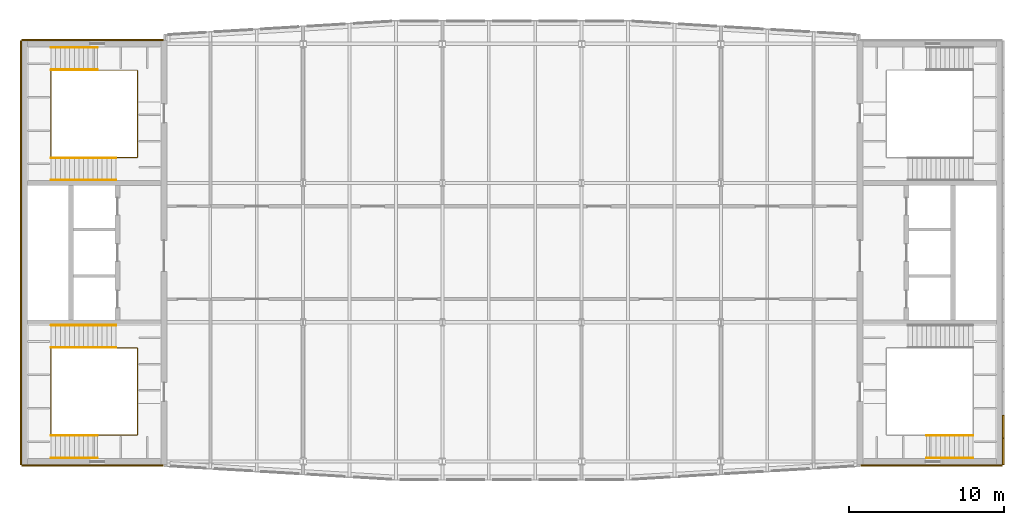
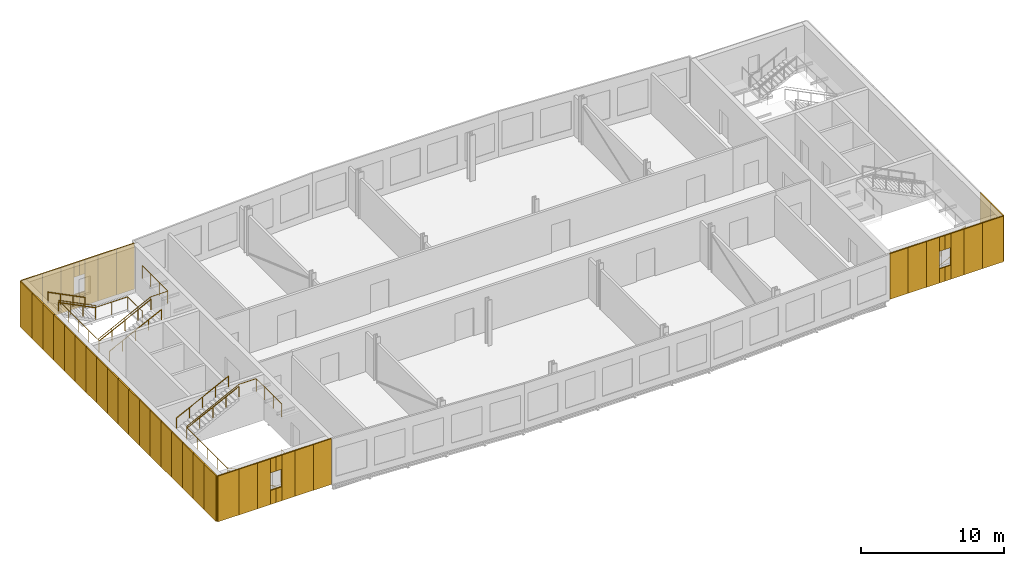
# One storey, part 8 of 9: 50 coverings, 12 railings.
"""IFC4 building model written with IfcOpenShell, lengths in metres."""

from ifc_helpers import new_model, si_unit, direction, frame, origin, origin_2d, place, context, subcontext, project, spatial, rectangle, circle, extrude, material, layer, layer_set, type_object, element, save


model = new_model("IFC4")

# Units and contexts
model_context = context("Model", 3, precision=1e-05, world=origin(), true_north=direction((0.0, 1.0)))
body_context = subcontext(model_context, "Body", "Model", "MODEL_VIEW")
ifc_project = project(units=[si_unit("LENGTHUNIT", "METRE"), si_unit("AREAUNIT", "SQUARE_METRE"), si_unit("VOLUMEUNIT", "CUBIC_METRE"), si_unit("PLANEANGLEUNIT", "RADIAN"), si_unit("MASSUNIT", "GRAM", prefix="KILO")], contexts=[model_context])

# Site, building, storey
site_placement = place(None, origin())
site = spatial("IfcSite", under=ifc_project, at=site_placement, CompositionType="ELEMENT")
building_placement = place(site_placement, origin())
building = spatial("IfcBuilding", under=site, at=building_placement, Name="Azimuth Sports and Learning Centre", CompositionType="ELEMENT")
storey_placement = place(building_placement, frame((0.0, 0.0, 51.89990234375)))
storey = spatial("IfcBuildingStorey", under=building, at=storey_placement, Name="L11", CompositionType="ELEMENT", Elevation=51.89990234375)

# Coverings
ifc_material_1 = material(Name="Cladding panel")
ifc_layer = layer(ifc_material_1, 0.10009765625)
ifc_layer_set = layer_set([ifc_layer], Name="Cladding panel")
covering_type = type_object("IfcCoveringType", Name="Cladding panel 100", PredefinedType="CLADDING", material=ifc_layer_set)
covering_1_placement = place(storey_placement, frame((54.64990234375, 89.75, 0.000244140625), z_axis=(0.0, 0.0, 1.0), x_axis=(1.0, 0.0, 0.0)))
element("IfcCovering", 1, at=covering_1_placement, inside=storey, type_object=covering_type, Name="Cladding panel S-CORE W L11 1", PredefinedType="CLADDING", context=body_context, shape_type="SweptSolid", body=[
    extrude(rectangle(XDim=1.699951171875, YDim=0.10009765625, at=origin_2d()), origin(), (0.0, 0.0, 1.0), 3.89990234375),
])
covering_2_placement = place(storey_placement, frame((56.25, 89.75, 0.000244140625), z_axis=(0.0, 0.0, 1.0), x_axis=(1.0, 0.0, 0.0)))
element("IfcCovering", 2, at=covering_2_placement, inside=storey, type_object=covering_type, Name="Cladding panel S-CORE W L11 2", PredefinedType="CLADDING", context=body_context, shape_type="SweptSolid", body=[
    extrude(rectangle(XDim=1.5, YDim=0.10009765625, at=origin_2d()), origin(), (0.0, 0.0, 1.0), 3.89990234375),
])
covering_3_placement = place(storey_placement, frame((57.52490234375, 89.75, 0.000244140625), z_axis=(0.0, 0.0, 1.0), x_axis=(1.0, 0.0, 0.0)))
element("IfcCovering", 3, at=covering_3_placement, inside=storey, type_object=covering_type, Name="Cladding panel S-CORE W L11 3", PredefinedType="CLADDING", context=body_context, shape_type="SweptSolid", body=[
    extrude(rectangle(XDim=1.050048828125, YDim=0.10009765625, at=origin_2d()), origin(), (0.0, 0.0, 1.0), 3.89990234375),
])
for number, where, z_axis, x_axis, name in (
    (4, (58.27490234375, 89.75, 0.0), (0.0, 0.0, 1.0), (1.0, 0.0, 0.0), "Cladding panel S-CORE W L11 4"),
    (5, (58.27490234375, 89.75, 2.7001953125), (0.0, 0.0, 1.0), (1.0, 0.0, 0.0), "Cladding panel S-CORE W L11 5"),
):
    element("IfcCovering", number, at=place(storey_placement, frame(where, z_axis=z_axis, x_axis=x_axis)), inside=storey, type_object=covering_type, Name=name, PredefinedType="CLADDING", context=body_context, shape_type="SweptSolid", body=[
        extrude(rectangle(XDim=0.449951171875, YDim=0.10009765625, at=origin_2d()), origin(), (0.0, 0.0, 1.0), 1.199951171875),
    ])
covering_4_placement = place(storey_placement, frame((59.47509765625, 89.75, 0.000244140625), z_axis=(0.0, 0.0, 1.0), x_axis=(1.0, 0.0, 0.0)))
element("IfcCovering", 6, at=covering_4_placement, inside=storey, type_object=covering_type, Name="Cladding panel S-CORE W L11 6", PredefinedType="CLADDING", context=body_context, shape_type="SweptSolid", body=[
    extrude(rectangle(XDim=1.050048828125, YDim=0.10009765625, at=origin_2d()), origin(), (0.0, 0.0, 1.0), 3.89990234375),
])
for number, where, z_axis, x_axis, name in (
    (7, (58.72509765625, 89.75, 0.0), (0.0, 0.0, 1.0), (1.0, 0.0, 0.0), "Cladding panel S-CORE W L11 7"),
    (8, (58.72509765625, 89.75, 2.7001953125), (0.0, 0.0, 1.0), (1.0, 0.0, 0.0), "Cladding panel S-CORE W L11 8"),
):
    element("IfcCovering", number, at=place(storey_placement, frame(where, z_axis=z_axis, x_axis=x_axis)), inside=storey, type_object=covering_type, Name=name, PredefinedType="CLADDING", context=body_context, shape_type="SweptSolid", body=[
        extrude(rectangle(XDim=0.449951171875, YDim=0.10009765625, at=origin_2d()), origin(), (0.0, 0.0, 1.0), 1.199951171875),
    ])
covering_5_placement = place(storey_placement, frame((60.75, 89.75, 0.000244140625), z_axis=(0.0, 0.0, 1.0), x_axis=(1.0, 0.0, 0.0)))
element("IfcCovering", 9, at=covering_5_placement, inside=storey, type_object=covering_type, Name="Cladding panel S-CORE W L11 9", PredefinedType="CLADDING", context=body_context, shape_type="SweptSolid", body=[
    extrude(rectangle(XDim=1.5, YDim=0.10009765625, at=origin_2d()), origin(), (0.0, 0.0, 1.0), 3.89990234375),
])
for number, where, z_axis, x_axis, name in (
    (10, (62.22998046875, 89.75, 0.000244140625), (0.0, 0.0, 1.0), (1.0, 0.0, 0.0), "Cladding panel S-CORE W L11 10"),
    (11, (108.77001953125, 89.75, 0.000244140625), (0.0, 0.0, 1.0), (1.0, 0.0, 0.0), "Cladding panel S-CORE E L11 1"),
):
    element("IfcCovering", number, at=place(storey_placement, frame(where, z_axis=z_axis, x_axis=x_axis)), inside=storey, type_object=covering_type, Name=name, PredefinedType="CLADDING", context=body_context, shape_type="SweptSolid", body=[
        extrude(rectangle(XDim=1.4599609375, YDim=0.10009765625, at=origin_2d()), origin(), (0.0, 0.0, 1.0), 3.89990234375),
    ])
covering_6_placement = place(storey_placement, frame((110.25, 89.75, 0.000244140625), z_axis=(0.0, 0.0, 1.0), x_axis=(1.0, 0.0, 0.0)))
element("IfcCovering", 12, at=covering_6_placement, inside=storey, type_object=covering_type, Name="Cladding panel S-CORE E L11 2", PredefinedType="CLADDING", context=body_context, shape_type="SweptSolid", body=[
    extrude(rectangle(XDim=1.5, YDim=0.10009765625, at=origin_2d()), origin(), (0.0, 0.0, 1.0), 3.89990234375),
])
covering_7_placement = place(storey_placement, frame((111.52490234375, 89.75, 0.000244140625), z_axis=(0.0, 0.0, 1.0), x_axis=(1.0, 0.0, 0.0)))
element("IfcCovering", 13, at=covering_7_placement, inside=storey, type_object=covering_type, Name="Cladding panel S-CORE E L11 3", PredefinedType="CLADDING", context=body_context, shape_type="SweptSolid", body=[
    extrude(rectangle(XDim=1.050048828125, YDim=0.10009765625, at=origin_2d()), origin(), (0.0, 0.0, 1.0), 3.89990234375),
])
for number, where, z_axis, x_axis, name in (
    (14, (112.27490234375, 89.75, 0.0), (0.0, 0.0, 1.0), (1.0, 0.0, 0.0), "Cladding panel S-CORE E L11 4"),
    (15, (112.27490234375, 89.75, 2.7001953125), (0.0, 0.0, 1.0), (1.0, 0.0, 0.0), "Cladding panel S-CORE E L11 5"),
):
    element("IfcCovering", number, at=place(storey_placement, frame(where, z_axis=z_axis, x_axis=x_axis)), inside=storey, type_object=covering_type, Name=name, PredefinedType="CLADDING", context=body_context, shape_type="SweptSolid", body=[
        extrude(rectangle(XDim=0.449951171875, YDim=0.10009765625, at=origin_2d()), origin(), (0.0, 0.0, 1.0), 1.199951171875),
    ])
covering_8_placement = place(storey_placement, frame((113.47509765625, 89.75, 0.000244140625), z_axis=(0.0, 0.0, 1.0), x_axis=(1.0, 0.0, 0.0)))
element("IfcCovering", 16, at=covering_8_placement, inside=storey, type_object=covering_type, Name="Cladding panel S-CORE E L11 6", PredefinedType="CLADDING", context=body_context, shape_type="SweptSolid", body=[
    extrude(rectangle(XDim=1.050048828125, YDim=0.10009765625, at=origin_2d()), origin(), (0.0, 0.0, 1.0), 3.89990234375),
])
for number, where, z_axis, x_axis, name in (
    (17, (112.72509765625, 89.75, 0.0), (0.0, 0.0, 1.0), (1.0, 0.0, 0.0), "Cladding panel S-CORE E L11 7"),
    (18, (112.72509765625, 89.75, 2.7001953125), (0.0, 0.0, 1.0), (1.0, 0.0, 0.0), "Cladding panel S-CORE E L11 8"),
):
    element("IfcCovering", number, at=place(storey_placement, frame(where, z_axis=z_axis, x_axis=x_axis)), inside=storey, type_object=covering_type, Name=name, PredefinedType="CLADDING", context=body_context, shape_type="SweptSolid", body=[
        extrude(rectangle(XDim=0.449951171875, YDim=0.10009765625, at=origin_2d()), origin(), (0.0, 0.0, 1.0), 1.199951171875),
    ])
covering_9_placement = place(storey_placement, frame((114.75, 89.75, 0.000244140625), z_axis=(0.0, 0.0, 1.0), x_axis=(1.0, 0.0, 0.0)))
element("IfcCovering", 19, at=covering_9_placement, inside=storey, type_object=covering_type, Name="Cladding panel S-CORE E L11 9", PredefinedType="CLADDING", context=body_context, shape_type="SweptSolid", body=[
    extrude(rectangle(XDim=1.5, YDim=0.10009765625, at=origin_2d()), origin(), (0.0, 0.0, 1.0), 3.89990234375),
])
for number, where, z_axis, x_axis, name in (
    (20, (116.35009765625, 89.75, 0.000244140625), (0.0, 0.0, 1.0), (1.0, 0.0, 0.0), "Cladding panel S-CORE E L11 10"),
    (21, (117.25, 90.64990234375, 0.000244140625), (0.0, 0.0, 1.0), (0.0, 1.0, 0.0), "Cladding panel E-CORE E L11 1"),
):
    element("IfcCovering", number, at=place(storey_placement, frame(where, z_axis=z_axis, x_axis=x_axis)), inside=storey, type_object=covering_type, Name=name, PredefinedType="CLADDING", context=body_context, shape_type="SweptSolid", body=[
        extrude(rectangle(XDim=1.699951171875, YDim=0.10009765625, at=origin_2d()), origin(), (0.0, 0.0, 1.0), 3.89990234375),
    ])
covering_10_placement = place(storey_placement, frame((117.25, 92.25, 0.000244140625), z_axis=(0.0, 0.0, 1.0), x_axis=(0.0, 1.0, 0.0)))
element("IfcCovering", 22, at=covering_10_placement, inside=storey, type_object=covering_type, Name="Cladding panel E-CORE E L11 2", PredefinedType="CLADDING", context=body_context, shape_type="SweptSolid", body=[
    extrude(rectangle(XDim=1.5, YDim=0.10009765625, at=origin_2d()), origin(), (0.0, 0.0, 1.0), 3.89990234375),
])
covering_11_placement = place(storey_placement, frame((62.22998046875, 117.25, 0.000244140625), z_axis=(0.0, 0.0, 1.0), x_axis=(-1.0, 0.0, 0.0)))
element("IfcCovering", 23, at=covering_11_placement, inside=storey, type_object=covering_type, Name="Cladding panel N-CORE W L11 1", PredefinedType="CLADDING", context=body_context, shape_type="SweptSolid", body=[
    extrude(rectangle(XDim=1.4599609375, YDim=0.10009765625, at=origin_2d()), origin(), (0.0, 0.0, 1.0), 3.89990234375),
])
covering_12_placement = place(storey_placement, frame((60.75, 117.25, 0.000244140625), z_axis=(0.0, 0.0, 1.0), x_axis=(-1.0, 0.0, 0.0)))
element("IfcCovering", 24, at=covering_12_placement, inside=storey, type_object=covering_type, Name="Cladding panel N-CORE W L11 2", PredefinedType="CLADDING", context=body_context, shape_type="SweptSolid", body=[
    extrude(rectangle(XDim=1.5, YDim=0.10009765625, at=origin_2d()), origin(), (0.0, 0.0, 1.0), 3.89990234375),
])
covering_13_placement = place(storey_placement, frame((59.47509765625, 117.25, 0.000244140625), z_axis=(0.0, 0.0, 1.0), x_axis=(-1.0, 0.0, 0.0)))
element("IfcCovering", 25, at=covering_13_placement, inside=storey, type_object=covering_type, Name="Cladding panel N-CORE W L11 3", PredefinedType="CLADDING", context=body_context, shape_type="SweptSolid", body=[
    extrude(rectangle(XDim=1.050048828125, YDim=0.10009765625, at=origin_2d()), origin(), (0.0, 0.0, 1.0), 3.89990234375),
])
for number, where, z_axis, x_axis, name in (
    (26, (58.72509765625, 117.25, 0.0), (0.0, 0.0, 1.0), (-1.0, 0.0, 0.0), "Cladding panel N-CORE W L11 4"),
    (27, (58.72509765625, 117.25, 2.7001953125), (0.0, 0.0, 1.0), (-1.0, 0.0, 0.0), "Cladding panel N-CORE W L11 5"),
):
    element("IfcCovering", number, at=place(storey_placement, frame(where, z_axis=z_axis, x_axis=x_axis)), inside=storey, type_object=covering_type, Name=name, PredefinedType="CLADDING", context=body_context, shape_type="SweptSolid", body=[
        extrude(rectangle(XDim=0.449951171875, YDim=0.10009765625, at=origin_2d()), origin(), (0.0, 0.0, 1.0), 1.199951171875),
    ])
covering_14_placement = place(storey_placement, frame((57.52490234375, 117.25, 0.000244140625), z_axis=(0.0, 0.0, 1.0), x_axis=(-1.0, 0.0, 0.0)))
element("IfcCovering", 28, at=covering_14_placement, inside=storey, type_object=covering_type, Name="Cladding panel N-CORE W L11 6", PredefinedType="CLADDING", context=body_context, shape_type="SweptSolid", body=[
    extrude(rectangle(XDim=1.050048828125, YDim=0.10009765625, at=origin_2d()), origin(), (0.0, 0.0, 1.0), 3.89990234375),
])
for number, where, z_axis, x_axis, name in (
    (29, (58.27490234375, 117.25, 0.0), (0.0, 0.0, 1.0), (-1.0, 0.0, 0.0), "Cladding panel N-CORE W L11 7"),
    (30, (58.27490234375, 117.25, 2.7001953125), (0.0, 0.0, 1.0), (-1.0, 0.0, 0.0), "Cladding panel N-CORE W L11 8"),
):
    element("IfcCovering", number, at=place(storey_placement, frame(where, z_axis=z_axis, x_axis=x_axis)), inside=storey, type_object=covering_type, Name=name, PredefinedType="CLADDING", context=body_context, shape_type="SweptSolid", body=[
        extrude(rectangle(XDim=0.449951171875, YDim=0.10009765625, at=origin_2d()), origin(), (0.0, 0.0, 1.0), 1.199951171875),
    ])
covering_15_placement = place(storey_placement, frame((56.25, 117.25, 0.000244140625), z_axis=(0.0, 0.0, 1.0), x_axis=(-1.0, 0.0, 0.0)))
element("IfcCovering", 31, at=covering_15_placement, inside=storey, type_object=covering_type, Name="Cladding panel N-CORE W L11 9", PredefinedType="CLADDING", context=body_context, shape_type="SweptSolid", body=[
    extrude(rectangle(XDim=1.5, YDim=0.10009765625, at=origin_2d()), origin(), (0.0, 0.0, 1.0), 3.89990234375),
])
for number, where, z_axis, x_axis, name in (
    (32, (54.64990234375, 117.25, 0.000244140625), (0.0, 0.0, 1.0), (-1.0, 0.0, 0.0), "Cladding panel N-CORE W L11 10"),
    (33, (53.75, 116.35009765625, 0.000244140625), (0.0, 0.0, 1.0), (0.0, -1.0, 0.0), "Cladding panel W-CORE W L11 1"),
):
    element("IfcCovering", number, at=place(storey_placement, frame(where, z_axis=z_axis, x_axis=x_axis)), inside=storey, type_object=covering_type, Name=name, PredefinedType="CLADDING", context=body_context, shape_type="SweptSolid", body=[
        extrude(rectangle(XDim=1.699951171875, YDim=0.10009765625, at=origin_2d()), origin(), (0.0, 0.0, 1.0), 3.89990234375),
    ])
for number, where, z_axis, x_axis, name in (
    (34, (53.75, 114.75, 0.000244140625), (0.0, 0.0, 1.0), (0.0, -1.0, 0.0), "Cladding panel W-CORE W L11 2"),
    (35, (53.75, 113.25, 0.000244140625), (0.0, 0.0, 1.0), (0.0, -1.0, 0.0), "Cladding panel W-CORE W L11 3"),
    (36, (53.75, 111.75, 0.000244140625), (0.0, 0.0, 1.0), (0.0, -1.0, 0.0), "Cladding panel W-CORE W L11 4"),
    (37, (53.75, 110.25, 0.000244140625), (0.0, 0.0, 1.0), (0.0, -1.0, 0.0), "Cladding panel W-CORE W L11 5"),
    (38, (53.75, 108.75, 0.000244140625), (0.0, 0.0, 1.0), (0.0, -1.0, 0.0), "Cladding panel W-CORE W L11 6"),
    (39, (53.75, 107.25, 0.000244140625), (0.0, 0.0, 1.0), (0.0, -1.0, 0.0), "Cladding panel W-CORE W L11 7"),
    (40, (53.75, 105.75, 0.000244140625), (0.0, 0.0, 1.0), (0.0, -1.0, 0.0), "Cladding panel W-CORE W L11 8"),
    (41, (53.75, 104.25, 0.000244140625), (0.0, 0.0, 1.0), (0.0, -1.0, 0.0), "Cladding panel W-CORE W L11 9"),
    (42, (53.75, 102.75, 0.000244140625), (0.0, 0.0, 1.0), (0.0, -1.0, 0.0), "Cladding panel W-CORE W L11 10"),
    (43, (53.75, 101.25, 0.000244140625), (0.0, 0.0, 1.0), (0.0, -1.0, 0.0), "Cladding panel W-CORE W L11 11"),
    (44, (53.75, 99.75, 0.000244140625), (0.0, 0.0, 1.0), (0.0, -1.0, 0.0), "Cladding panel W-CORE W L11 12"),
    (45, (53.75, 98.25, 0.000244140625), (0.0, 0.0, 1.0), (0.0, -1.0, 0.0), "Cladding panel W-CORE W L11 13"),
    (46, (53.75, 96.75, 0.000244140625), (0.0, 0.0, 1.0), (0.0, -1.0, 0.0), "Cladding panel W-CORE W L11 14"),
    (47, (53.75, 95.25, 0.000244140625), (0.0, 0.0, 1.0), (0.0, -1.0, 0.0), "Cladding panel W-CORE W L11 15"),
    (48, (53.75, 93.75, 0.000244140625), (0.0, 0.0, 1.0), (0.0, -1.0, 0.0), "Cladding panel W-CORE W L11 16"),
    (49, (53.75, 92.25, 0.000244140625), (0.0, 0.0, 1.0), (0.0, -1.0, 0.0), "Cladding panel W-CORE W L11 17"),
):
    element("IfcCovering", number, at=place(storey_placement, frame(where, z_axis=z_axis, x_axis=x_axis)), inside=storey, type_object=covering_type, Name=name, PredefinedType="CLADDING", context=body_context, shape_type="SweptSolid", body=[
        extrude(rectangle(XDim=1.5, YDim=0.10009765625, at=origin_2d()), origin(), (0.0, 0.0, 1.0), 3.89990234375),
    ])
covering_16_placement = place(storey_placement, frame((53.75, 90.64990234375, 0.000244140625), z_axis=(0.0, 0.0, 1.0), x_axis=(0.0, -1.0, 0.0)))
element("IfcCovering", 50, at=covering_16_placement, inside=storey, type_object=covering_type, Name="Cladding panel W-CORE W L11 18", PredefinedType="CLADDING", context=body_context, shape_type="SweptSolid", body=[
    extrude(rectangle(XDim=1.699951171875, YDim=0.10009765625, at=origin_2d()), origin(), (0.0, 0.0, 1.0), 3.89990234375),
])

# Railings
ifc_material_2 = material(Name="Stainless steel", Category="steel")
railing_type_1 = type_object("IfcRailingType", Name="Stair guard 1100", PredefinedType="GUARDRAIL", material=ifc_material_2)
railing_1_placement = place(storey_placement, frame((61.2900390625, 93.75, 0.0)))
element("IfcRailing", 51, at=railing_1_placement, inside=storey, type_object=railing_type_1, Name="Guard W1 L11 well", PredefinedType="GUARDRAIL", context=body_context, shape_type="SweptSolid", body=[
    extrude(circle(Radius=0.02392578125, at=origin_2d()), frame((0.0, 0.0, 1.076171875), z_axis=(0.0, -1.0, 0.0), x_axis=(1.0, 0.0, 0.0)), (0.0, 0.0, 1.0), 2.0400390625),
    extrude(circle(Radius=0.02392578125, at=origin_2d()), frame((0.0, -2.0400390625, 1.076171875), z_axis=(-1.0, 0.0, 0.0), x_axis=(0.0, -1.0, 0.0)), (0.0, 0.0, 1.0), 2.580078125),
    extrude(circle(Radius=0.02392578125, at=origin_2d()), frame((-2.580078125, -2.0400390625, 1.076171875), z_axis=(0.0, 0.0, 1.0), x_axis=(1.0, 0.0, 0.0)), (0.0, 0.0, 1.0), 0.150146484375),
    extrude(circle(Radius=0.02392578125, at=origin_2d()), frame((-2.580078125, -2.0400390625, 1.22607421875), z_axis=(-0.894427191, 0.0, 0.4472135955), x_axis=(0.0, -1.0, 0.0)), (0.0, 0.0, 1.0), 3.35400390625),
    extrude(circle(Radius=0.02392578125, at=origin_2d()), frame((-5.580078125, -2.0400390625, 2.72607421875), z_axis=(0.0, 1.0, 0.0), x_axis=(-1.0, 0.0, 0.0)), (0.0, 0.0, 1.0), 5.630126953125),
    extrude(circle(Radius=0.02392578125, at=origin_2d()), frame((-5.580078125, 3.590087890625, 2.72607421875), z_axis=(0.0, 0.0, 1.0), x_axis=(1.0, 0.0, 0.0)), (0.0, 0.0, 1.0), 0.14990234375),
    extrude(circle(Radius=0.02392578125, at=origin_2d()), frame((-5.580078125, 3.590087890625, 2.8759765625), z_axis=(0.894416792377, 0.0, 0.447234392142), x_axis=(0.0, 1.0, 0.0)), (0.0, 0.0, 1.0), 4.69580078125),
    extrude(circle(Radius=0.02392578125, at=origin_2d()), frame((-1.380126953125, 3.590087890625, 4.97607421875), z_axis=(1.0, 0.0, 0.0), x_axis=(0.0, 1.0, 0.0)), (0.0, 0.0, 1.0), 1.380126953125),
    extrude(circle(Radius=0.02392578125, at=origin_2d()), frame((0.0, 3.590087890625, 4.97607421875), z_axis=(0.0, -1.0, 0.0), x_axis=(1.0, 0.0, 0.0)), (0.0, 0.0, 1.0), 3.590087890625),
    extrude(circle(Radius=0.01611328125, at=origin_2d()), origin(), (0.0, 0.0, 1.0), 1.052001953125),
    extrude(circle(Radius=0.01611328125, at=origin_2d()), frame((0.0, -1.02001953125, 0.0)), (0.0, 0.0, 1.0), 1.052001953125),
    extrude(circle(Radius=0.01611328125, at=origin_2d()), frame((0.0, -2.0400390625, 0.0)), (0.0, 0.0, 1.0), 1.052001953125),
    extrude(circle(Radius=0.01611328125, at=origin_2d()), frame((-1.2900390625, -2.0400390625, 0.0)), (0.0, 0.0, 1.0), 1.052001953125),
    extrude(circle(Radius=0.01611328125, at=origin_2d()), frame((-2.580078125, -2.0400390625, 0.0)), (0.0, 0.0, 1.0), 1.052001953125),
    extrude(circle(Radius=0.01611328125, at=origin_2d()), frame((-2.580078125, -2.0400390625, 0.150146484375)), (0.0, 0.0, 1.0), 1.052001953125),
    extrude(circle(Radius=0.01611328125, at=origin_2d()), frame((-3.580078125, -2.0400390625, 0.650146484375)), (0.0, 0.0, 1.0), 1.052001953125),
    extrude(circle(Radius=0.01611328125, at=origin_2d()), frame((-4.580078125, -2.0400390625, 1.150146484375)), (0.0, 0.0, 1.0), 1.052001953125),
    extrude(circle(Radius=0.01611328125, at=origin_2d()), frame((-5.580078125, -2.0400390625, 1.650146484375)), (0.0, 0.0, 1.0), 1.052001953125),
    extrude(circle(Radius=0.01611328125, at=origin_2d()), frame((-5.580078125, -0.632568359375, 1.650146484375)), (0.0, 0.0, 1.0), 1.052001953125),
    extrude(circle(Radius=0.01611328125, at=origin_2d()), frame((-5.580078125, 0.77490234375, 1.650146484375)), (0.0, 0.0, 1.0), 1.052001953125),
    extrude(circle(Radius=0.01611328125, at=origin_2d()), frame((-5.580078125, 2.1826171875, 1.650146484375)), (0.0, 0.0, 1.0), 1.052001953125),
    extrude(circle(Radius=0.01611328125, at=origin_2d()), frame((-5.580078125, 3.590087890625, 1.650146484375)), (0.0, 0.0, 1.0), 1.052001953125),
    extrude(circle(Radius=0.01611328125, at=origin_2d()), frame((-5.580078125, 3.590087890625, 1.800048828125)), (0.0, 0.0, 1.0), 1.052001953125),
    extrude(circle(Radius=0.01611328125, at=origin_2d()), frame((-4.530029296875, 3.590087890625, 2.3251953125)), (0.0, 0.0, 1.0), 1.052001953125),
    extrude(circle(Radius=0.01611328125, at=origin_2d()), frame((-3.47998046875, 3.590087890625, 2.85009765625)), (0.0, 0.0, 1.0), 1.052001953125),
    extrude(circle(Radius=0.01611328125, at=origin_2d()), frame((-2.43017578125, 3.590087890625, 3.375)), (0.0, 0.0, 1.0), 1.052001953125),
    extrude(circle(Radius=0.01611328125, at=origin_2d()), frame((-1.380126953125, 3.590087890625, 3.900146484375)), (0.0, 0.0, 1.0), 1.052001953125),
    extrude(circle(Radius=0.01611328125, at=origin_2d()), frame((0.0, 3.590087890625, 3.900146484375)), (0.0, 0.0, 1.0), 1.052001953125),
    extrude(circle(Radius=0.01611328125, at=origin_2d()), frame((0.0, 2.393310546875, 3.900146484375)), (0.0, 0.0, 1.0), 1.052001953125),
    extrude(circle(Radius=0.01611328125, at=origin_2d()), frame((0.0, 1.19677734375, 3.900146484375)), (0.0, 0.0, 1.0), 1.052001953125),
    extrude(circle(Radius=0.01611328125, at=origin_2d()), frame((0.0, 0.0, 3.900146484375)), (0.0, 0.0, 1.0), 1.052001953125),
])
railing_2_placement = place(storey_placement, frame((61.2900390625, 113.25, 0.0)))
element("IfcRailing", 52, at=railing_2_placement, inside=storey, type_object=railing_type_1, Name="Guard W2 L11 well", PredefinedType="GUARDRAIL", context=body_context, shape_type="SweptSolid", body=[
    extrude(circle(Radius=0.02392578125, at=origin_2d()), frame((0.0, 0.0, 1.076171875), z_axis=(0.0, 1.0, 0.0), x_axis=(-1.0, 0.0, 0.0)), (0.0, 0.0, 1.0), 2.0400390625),
    extrude(circle(Radius=0.02392578125, at=origin_2d()), frame((0.0, 2.0400390625, 1.076171875), z_axis=(-1.0, 0.0, 0.0), x_axis=(0.0, -1.0, 0.0)), (0.0, 0.0, 1.0), 2.580078125),
    extrude(circle(Radius=0.02392578125, at=origin_2d()), frame((-2.580078125, 2.0400390625, 1.076171875), z_axis=(0.0, 0.0, 1.0), x_axis=(1.0, 0.0, 0.0)), (0.0, 0.0, 1.0), 0.150146484375),
    extrude(circle(Radius=0.02392578125, at=origin_2d()), frame((-2.580078125, 2.0400390625, 1.22607421875), z_axis=(-0.894427191, 0.0, 0.4472135955), x_axis=(0.0, -1.0, 0.0)), (0.0, 0.0, 1.0), 3.35400390625),
    extrude(circle(Radius=0.02392578125, at=origin_2d()), frame((-5.580078125, 2.0400390625, 2.72607421875), z_axis=(0.0, -1.0, 0.0), x_axis=(1.0, 0.0, 0.0)), (0.0, 0.0, 1.0), 5.630126953125),
    extrude(circle(Radius=0.02392578125, at=origin_2d()), frame((-5.580078125, -3.590087890625, 2.72607421875), z_axis=(0.0, 0.0, 1.0), x_axis=(1.0, 0.0, 0.0)), (0.0, 0.0, 1.0), 0.14990234375),
    extrude(circle(Radius=0.02392578125, at=origin_2d()), frame((-5.580078125, -3.590087890625, 2.8759765625), z_axis=(0.894416792377, 0.0, 0.447234392142), x_axis=(0.0, 1.0, 0.0)), (0.0, 0.0, 1.0), 4.69580078125),
    extrude(circle(Radius=0.02392578125, at=origin_2d()), frame((-1.380126953125, -3.590087890625, 4.97607421875), z_axis=(1.0, 0.0, 0.0), x_axis=(0.0, 1.0, 0.0)), (0.0, 0.0, 1.0), 1.380126953125),
    extrude(circle(Radius=0.02392578125, at=origin_2d()), frame((0.0, -3.590087890625, 4.97607421875), z_axis=(0.0, 1.0, 0.0), x_axis=(-1.0, 0.0, 0.0)), (0.0, 0.0, 1.0), 3.590087890625),
    extrude(circle(Radius=0.01611328125, at=origin_2d()), origin(), (0.0, 0.0, 1.0), 1.052001953125),
    extrude(circle(Radius=0.01611328125, at=origin_2d()), frame((0.0, 1.02001953125, 0.0)), (0.0, 0.0, 1.0), 1.052001953125),
    extrude(circle(Radius=0.01611328125, at=origin_2d()), frame((0.0, 2.0400390625, 0.0)), (0.0, 0.0, 1.0), 1.052001953125),
    extrude(circle(Radius=0.01611328125, at=origin_2d()), frame((-1.2900390625, 2.0400390625, 0.0)), (0.0, 0.0, 1.0), 1.052001953125),
    extrude(circle(Radius=0.01611328125, at=origin_2d()), frame((-2.580078125, 2.0400390625, 0.0)), (0.0, 0.0, 1.0), 1.052001953125),
    extrude(circle(Radius=0.01611328125, at=origin_2d()), frame((-2.580078125, 2.0400390625, 0.150146484375)), (0.0, 0.0, 1.0), 1.052001953125),
    extrude(circle(Radius=0.01611328125, at=origin_2d()), frame((-3.580078125, 2.0400390625, 0.650146484375)), (0.0, 0.0, 1.0), 1.052001953125),
    extrude(circle(Radius=0.01611328125, at=origin_2d()), frame((-4.580078125, 2.0400390625, 1.150146484375)), (0.0, 0.0, 1.0), 1.052001953125),
    extrude(circle(Radius=0.01611328125, at=origin_2d()), frame((-5.580078125, 2.0400390625, 1.650146484375)), (0.0, 0.0, 1.0), 1.052001953125),
    extrude(circle(Radius=0.01611328125, at=origin_2d()), frame((-5.580078125, 0.632568359375, 1.650146484375)), (0.0, 0.0, 1.0), 1.052001953125),
    extrude(circle(Radius=0.01611328125, at=origin_2d()), frame((-5.580078125, -0.77490234375, 1.650146484375)), (0.0, 0.0, 1.0), 1.052001953125),
    extrude(circle(Radius=0.01611328125, at=origin_2d()), frame((-5.580078125, -2.1826171875, 1.650146484375)), (0.0, 0.0, 1.0), 1.052001953125),
    extrude(circle(Radius=0.01611328125, at=origin_2d()), frame((-5.580078125, -3.590087890625, 1.650146484375)), (0.0, 0.0, 1.0), 1.052001953125),
    extrude(circle(Radius=0.01611328125, at=origin_2d()), frame((-5.580078125, -3.590087890625, 1.800048828125)), (0.0, 0.0, 1.0), 1.052001953125),
    extrude(circle(Radius=0.01611328125, at=origin_2d()), frame((-4.530029296875, -3.590087890625, 2.3251953125)), (0.0, 0.0, 1.0), 1.052001953125),
    extrude(circle(Radius=0.01611328125, at=origin_2d()), frame((-3.47998046875, -3.590087890625, 2.85009765625)), (0.0, 0.0, 1.0), 1.052001953125),
    extrude(circle(Radius=0.01611328125, at=origin_2d()), frame((-2.43017578125, -3.590087890625, 3.375)), (0.0, 0.0, 1.0), 1.052001953125),
    extrude(circle(Radius=0.01611328125, at=origin_2d()), frame((-1.380126953125, -3.590087890625, 3.900146484375)), (0.0, 0.0, 1.0), 1.052001953125),
    extrude(circle(Radius=0.01611328125, at=origin_2d()), frame((0.0, -3.590087890625, 3.900146484375)), (0.0, 0.0, 1.0), 1.052001953125),
    extrude(circle(Radius=0.01611328125, at=origin_2d()), frame((0.0, -2.393310546875, 3.900146484375)), (0.0, 0.0, 1.0), 1.052001953125),
    extrude(circle(Radius=0.01611328125, at=origin_2d()), frame((0.0, -1.19677734375, 3.900146484375)), (0.0, 0.0, 1.0), 1.052001953125),
    extrude(circle(Radius=0.01611328125, at=origin_2d()), frame((0.0, 0.0, 3.900146484375)), (0.0, 0.0, 1.0), 1.052001953125),
])
ifc_material_3 = material(Name="Stainless steel", Category="steel")
railing_type_2 = type_object("IfcRailingType", Name="Stair handrail 42", PredefinedType="HANDRAIL", material=ifc_material_3)
for number, where, name in (
    (53, (58.7099609375, 91.679931640625, 0.150146484375), "Handrail W1 L11 flight 1 inner"),
    (54, (58.7099609375, 90.239990234375, 0.150146484375), "Handrail W1 L11 flight 1 outer"),
):
    element("IfcRailing", number, at=place(storey_placement, frame(where)), inside=storey, type_object=railing_type_2, Name=name, PredefinedType="HANDRAIL", context=body_context, shape_type="SweptSolid", body=[
        extrude(circle(Radius=0.02099609375, at=origin_2d()), frame((0.0, 0.0, 0.87890625), z_axis=(-0.894427191, 0.0, 0.4472135955), x_axis=(0.0, -1.0, 0.0)), (0.0, 0.0, 1.0), 3.35400390625),
        extrude(circle(Radius=0.01611328125, at=origin_2d()), origin(), (0.0, 0.0, 1.0), 0.85791015625),
        extrude(circle(Radius=0.01611328125, at=origin_2d()), frame((-1.0, 0.0, 0.5)), (0.0, 0.0, 1.0), 0.85791015625),
        extrude(circle(Radius=0.01611328125, at=origin_2d()), frame((-2.0, 0.0, 1.0)), (0.0, 0.0, 1.0), 0.85791015625),
        extrude(circle(Radius=0.01611328125, at=origin_2d()), frame((-3.0, 0.0, 1.5)), (0.0, 0.0, 1.0), 0.85791015625),
    ])
for number, where, name in (
    (55, (55.7099609375, 97.3701171875, 1.800048828125), "Handrail W1 L11 flight 2 inner"),
    (56, (55.7099609375, 98.81005859375, 1.800048828125), "Handrail W1 L11 flight 2 outer"),
):
    element("IfcRailing", number, at=place(storey_placement, frame(where)), inside=storey, type_object=railing_type_2, Name=name, PredefinedType="HANDRAIL", context=body_context, shape_type="SweptSolid", body=[
        extrude(circle(Radius=0.02099609375, at=origin_2d()), frame((0.0, 0.0, 0.87890625), z_axis=(0.894416792377, 0.0, 0.447234392142), x_axis=(0.0, 1.0, 0.0)), (0.0, 0.0, 1.0), 4.69580078125),
        extrude(circle(Radius=0.01611328125, at=origin_2d()), origin(), (0.0, 0.0, 1.0), 0.85791015625),
        extrude(circle(Radius=0.01611328125, at=origin_2d()), frame((1.050048828125, 0.0, 0.52490234375)), (0.0, 0.0, 1.0), 0.85791015625),
        extrude(circle(Radius=0.01611328125, at=origin_2d()), frame((2.10009765625, 0.0, 1.050048828125)), (0.0, 0.0, 1.0), 0.85791015625),
        extrude(circle(Radius=0.01611328125, at=origin_2d()), frame((3.14990234375, 0.0, 1.5751953125)), (0.0, 0.0, 1.0), 0.85791015625),
        extrude(circle(Radius=0.01611328125, at=origin_2d()), frame((4.199951171875, 0.0, 2.10009765625)), (0.0, 0.0, 1.0), 0.85791015625),
    ])
for number, where, name in (
    (57, (58.7099609375, 115.320068359375, 0.150146484375), "Handrail W2 L11 flight 1 inner"),
    (58, (58.7099609375, 116.760009765625, 0.150146484375), "Handrail W2 L11 flight 1 outer"),
):
    element("IfcRailing", number, at=place(storey_placement, frame(where)), inside=storey, type_object=railing_type_2, Name=name, PredefinedType="HANDRAIL", context=body_context, shape_type="SweptSolid", body=[
        extrude(circle(Radius=0.02099609375, at=origin_2d()), frame((0.0, 0.0, 0.87890625), z_axis=(-0.894427191, 0.0, 0.4472135955), x_axis=(0.0, -1.0, 0.0)), (0.0, 0.0, 1.0), 3.35400390625),
        extrude(circle(Radius=0.01611328125, at=origin_2d()), origin(), (0.0, 0.0, 1.0), 0.85791015625),
        extrude(circle(Radius=0.01611328125, at=origin_2d()), frame((-1.0, 0.0, 0.5)), (0.0, 0.0, 1.0), 0.85791015625),
        extrude(circle(Radius=0.01611328125, at=origin_2d()), frame((-2.0, 0.0, 1.0)), (0.0, 0.0, 1.0), 0.85791015625),
        extrude(circle(Radius=0.01611328125, at=origin_2d()), frame((-3.0, 0.0, 1.5)), (0.0, 0.0, 1.0), 0.85791015625),
    ])
for number, where, name in (
    (59, (55.7099609375, 109.6298828125, 1.800048828125), "Handrail W2 L11 flight 2 inner"),
    (60, (55.7099609375, 108.18994140625, 1.800048828125), "Handrail W2 L11 flight 2 outer"),
):
    element("IfcRailing", number, at=place(storey_placement, frame(where)), inside=storey, type_object=railing_type_2, Name=name, PredefinedType="HANDRAIL", context=body_context, shape_type="SweptSolid", body=[
        extrude(circle(Radius=0.02099609375, at=origin_2d()), frame((0.0, 0.0, 0.87890625), z_axis=(0.894416792377, 0.0, 0.447234392142), x_axis=(0.0, 1.0, 0.0)), (0.0, 0.0, 1.0), 4.69580078125),
        extrude(circle(Radius=0.01611328125, at=origin_2d()), origin(), (0.0, 0.0, 1.0), 0.85791015625),
        extrude(circle(Radius=0.01611328125, at=origin_2d()), frame((1.050048828125, 0.0, 0.52490234375)), (0.0, 0.0, 1.0), 0.85791015625),
        extrude(circle(Radius=0.01611328125, at=origin_2d()), frame((2.10009765625, 0.0, 1.050048828125)), (0.0, 0.0, 1.0), 0.85791015625),
        extrude(circle(Radius=0.01611328125, at=origin_2d()), frame((3.14990234375, 0.0, 1.5751953125)), (0.0, 0.0, 1.0), 0.85791015625),
        extrude(circle(Radius=0.01611328125, at=origin_2d()), frame((4.199951171875, 0.0, 2.10009765625)), (0.0, 0.0, 1.0), 0.85791015625),
    ])
for number, where, name in (
    (61, (112.2900390625, 91.679931640625, 0.150146484375), "Handrail E1 L11 flight 1 inner"),
    (62, (112.2900390625, 90.239990234375, 0.150146484375), "Handrail E1 L11 flight 1 outer"),
):
    element("IfcRailing", number, at=place(storey_placement, frame(where)), inside=storey, type_object=railing_type_2, Name=name, PredefinedType="HANDRAIL", context=body_context, shape_type="SweptSolid", body=[
        extrude(circle(Radius=0.02099609375, at=origin_2d()), frame((0.0, 0.0, 0.87890625), z_axis=(0.894427191, 0.0, 0.4472135955), x_axis=(0.0, 1.0, 0.0)), (0.0, 0.0, 1.0), 3.35400390625),
        extrude(circle(Radius=0.01611328125, at=origin_2d()), origin(), (0.0, 0.0, 1.0), 0.85791015625),
        extrude(circle(Radius=0.01611328125, at=origin_2d()), frame((1.0, 0.0, 0.5)), (0.0, 0.0, 1.0), 0.85791015625),
        extrude(circle(Radius=0.01611328125, at=origin_2d()), frame((2.0, 0.0, 1.0)), (0.0, 0.0, 1.0), 0.85791015625),
        extrude(circle(Radius=0.01611328125, at=origin_2d()), frame((3.0, 0.0, 1.5)), (0.0, 0.0, 1.0), 0.85791015625),
    ])

save(model, "model.ifc")
